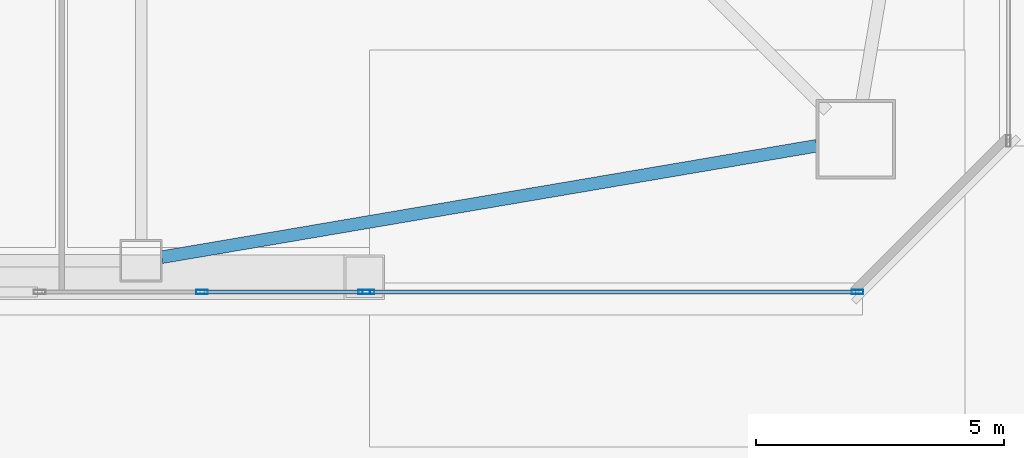
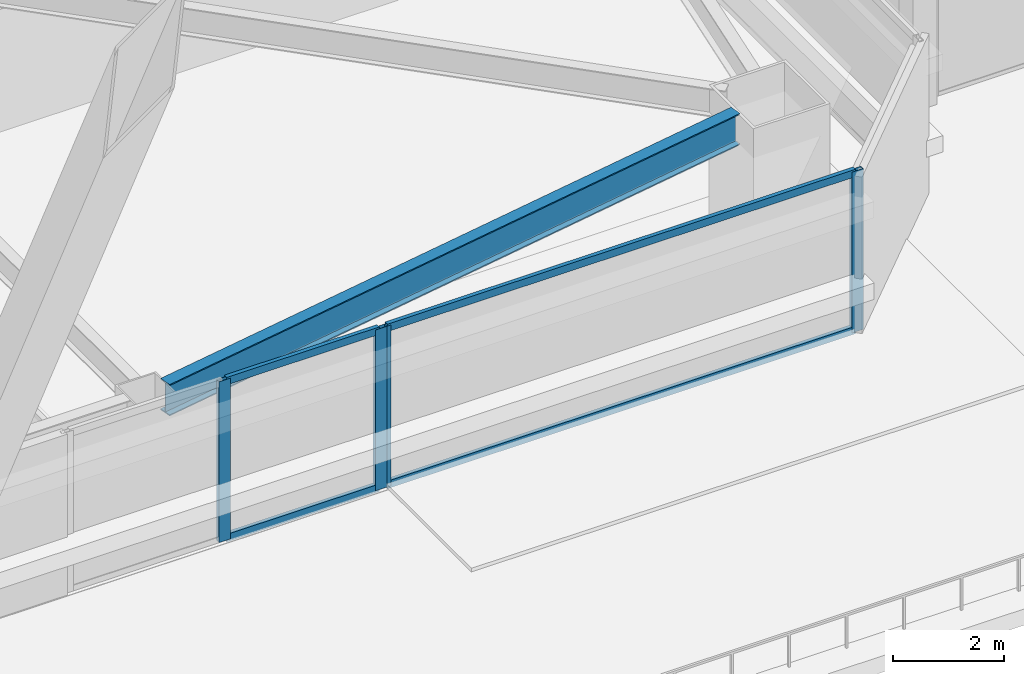
# One storey, part 13 of 83: 8 members, 1 beam, 2 elements without a shape of their own.
"""IFC4 building model written with IfcOpenShell, lengths in metres."""

from ifc_helpers import new_model, si_unit, direction, frame, origin, origin_2d, place, context, subcontext, project, spatial, hollow_rectangle, i_section, extrude, material, material_profile, profile_set, type_object, element, aggregate, save


model = new_model("IFC4")

# Units and contexts
model_context = context("Model", 3, precision=1e-05, world=origin(), true_north=direction((0.0, 1.0)))
body_context = subcontext(model_context, "Body", "Model", "MODEL_VIEW")
ifc_project = project(units=[si_unit("LENGTHUNIT", "METRE"), si_unit("AREAUNIT", "SQUARE_METRE"), si_unit("VOLUMEUNIT", "CUBIC_METRE"), si_unit("PLANEANGLEUNIT", "RADIAN"), si_unit("MASSUNIT", "GRAM", prefix="KILO")], contexts=[model_context])

# Site, building, storey
site_placement = place(None, origin())
site = spatial("IfcSite", under=ifc_project, at=site_placement, CompositionType="ELEMENT")
building_placement = place(site_placement, origin())
building = spatial("IfcBuilding", under=site, at=building_placement, Name="Tashvorn Skyway Center", CompositionType="ELEMENT")
storey_placement = place(building_placement, frame((0.0, 0.0, 24.60009765625)))
storey = spatial("IfcBuildingStorey", under=building, at=storey_placement, Name="L05", CompositionType="ELEMENT", Elevation=24.60009765625)

# Beam
ifc_material_1 = material(Name="Steel ASTM A992 Grade 50", Category="steel")
ifc_material_profile_1 = material_profile(ifc_material_1, i_section(OverallWidth=0.256103515625, OverallDepth=0.693115234375, WebThickness=0.014404296875, FlangeThickness=0.023681640625, at=origin_2d()), Name="W27X114")
ifc_profile_set_1 = profile_set([ifc_material_profile_1], Name="Steel ASTM A992 Grade 50")
beam_type = type_object("IfcBeamType", Name="BM-SPANDREL-W27X114", PredefinedType="SPANDREL", material=ifc_profile_set_1)
beam_placement = place(storey_placement, frame((47.81396484375, 9.820556640625, 3.00341796875), z_axis=(0.985835025551, 0.16771792509, 0.0), x_axis=(-0.16771792509, 0.985835025551, 0.0)))
element("IfcBeam", 1, at=beam_placement, inside=storey, type_object=beam_type, Name="Tower 1 L05 Spandrel Beam 03", PredefinedType="SPANDREL", context=body_context, shape_type="SweptSolid", body=[
    extrude(i_section(OverallWidth=0.256103515625, OverallDepth=0.693115234375, WebThickness=0.014404296875, FlangeThickness=0.023681640625, at=origin_2d()), origin(), (0.0, 0.0, 1.0), 13.39208984375),
])

# Curtain wall, members
ifc_material_2 = material(Name="Thermally broken bronze-anodized aluminium 6063-T6", Category="aluminium")
curtain_wall_type = type_object("IfcCurtainWallType", Name="CW-CW-Z1", PredefinedType="NOTDEFINED", material=ifc_material_2)
curtain_wall_1_placement = place(storey_placement, origin())
curtain_wall_1 = element("IfcCurtainWall", 2, at=curtain_wall_1_placement, inside=storey, type_object=curtain_wall_type, Name="Tower 1 L05 South Unitised Curtain Wall Glazing Group 1", PredefinedType="NOTDEFINED")
ifc_material_profile_2 = material_profile(ifc_material_2, hollow_rectangle(XDim=0.0849609375, YDim=0.239990234375, WallThickness=0.0048828125, at=origin_2d()), Name="ALU-MULL-85x240")
ifc_profile_set_2 = profile_set([ifc_material_profile_2], Name="Thermally broken bronze-anodized aluminium 6063-T6")
member_type_1 = type_object("IfcMemberType", Name="CWM-CW-Z1", PredefinedType="MULLION", material=ifc_profile_set_2)
member_1_placement = place(storey_placement, frame((61.83740234375, 9.1201171875, 0.0), z_axis=(0.0, 0.0, 1.0), x_axis=(0.0, -1.0, 0.0)))
member_1 = element("IfcMember", 3, at=member_1_placement, type_object=member_type_1, Name="CW-Z1 mullion 1", PredefinedType="MULLION", context=body_context, shape_type="SweptSolid", body=[
    extrude(hollow_rectangle(XDim=0.0849609375, YDim=0.239990234375, WallThickness=0.0048828125, at=origin_2d()), origin(), (0.0, 0.0, 1.0), 3.5498046875),
])
member_2_placement = place(storey_placement, frame((51.982421875, 9.1201171875, 0.0), z_axis=(0.0, 0.0, 1.0), x_axis=(0.0, -1.0, 0.0)))
member_2 = element("IfcMember", 4, at=member_2_placement, type_object=member_type_1, Name="CW-Z1 mullion 2", PredefinedType="MULLION", context=body_context, shape_type="SweptSolid", body=[
    extrude(hollow_rectangle(XDim=0.0849609375, YDim=0.239990234375, WallThickness=0.0048828125, at=origin_2d()), origin(), (0.0, 0.0, 1.0), 3.5498046875),
])

curtain_wall_2_placement = place(storey_placement, origin())
curtain_wall_2 = element("IfcCurtainWall", 5, at=curtain_wall_2_placement, inside=storey, type_object=curtain_wall_type, Name="Tower 1 L05 South Unitised Curtain Wall Glazing Group 2", PredefinedType="NOTDEFINED")
member_3_placement = place(storey_placement, frame((51.8974609375, 9.1201171875, 0.0), z_axis=(0.0, 0.0, 1.0), x_axis=(0.0, -1.0, 0.0)))
member_3 = element("IfcMember", 6, at=member_3_placement, type_object=member_type_1, Name="CW-Z1 mullion 1", PredefinedType="MULLION", context=body_context, shape_type="SweptSolid", body=[
    extrude(hollow_rectangle(XDim=0.0849609375, YDim=0.239990234375, WallThickness=0.0048828125, at=origin_2d()), origin(), (0.0, 0.0, 1.0), 3.5498046875),
])
member_4_placement = place(storey_placement, frame((48.626708984375, 9.1201171875, 0.0), z_axis=(0.0, 0.0, 1.0), x_axis=(0.0, -1.0, 0.0)))
member_4 = element("IfcMember", 7, at=member_4_placement, type_object=member_type_1, Name="CW-Z1 mullion 2", PredefinedType="MULLION", context=body_context, shape_type="SweptSolid", body=[
    extrude(hollow_rectangle(XDim=0.0849609375, YDim=0.239990234375, WallThickness=0.0048828125, at=origin_2d()), origin(), (0.0, 0.0, 1.0), 3.5498046875),
])

# Member
ifc_material_profile_3 = material_profile(ifc_material_2, hollow_rectangle(XDim=0.0849609375, YDim=0.1650390625, WallThickness=0.0048828125, at=origin_2d()), Name="ALU-TRAN-85x165")
ifc_profile_set_3 = profile_set([ifc_material_profile_3], Name="Thermally broken bronze-anodized aluminium 6063-T6")
member_type_2 = type_object("IfcMemberType", Name="CWT-CW-Z1", PredefinedType="USERDEFINED", material=ifc_profile_set_3)
member_5_placement = place(storey_placement, frame((61.794921875, 9.1201171875, 0.04248046875), z_axis=(-1.0, 0.0, 0.0), x_axis=(0.0, -1.0, 0.0)))
member_5 = element("IfcMember", 8, at=member_5_placement, type_object=member_type_2, Name="CW-Z1 transom 1.1", ObjectType="TRANSOM", PredefinedType="USERDEFINED", context=body_context, shape_type="SweptSolid", body=[
    extrude(hollow_rectangle(XDim=0.0849609375, YDim=0.1650390625, WallThickness=0.0048828125, at=origin_2d()), origin(), (0.0, 0.0, 1.0), 9.77001953125),
])

member_6_placement = place(storey_placement, frame((61.794921875, 9.1201171875, 3.50732421875), z_axis=(-1.0, 0.0, 0.0), x_axis=(0.0, -1.0, 0.0)))
member_6 = element("IfcMember", 9, at=member_6_placement, type_object=member_type_2, Name="CW-Z1 transom 1.2", ObjectType="TRANSOM", PredefinedType="USERDEFINED", context=body_context, shape_type="SweptSolid", body=[
    extrude(hollow_rectangle(XDim=0.0849609375, YDim=0.1650390625, WallThickness=0.0048828125, at=origin_2d()), origin(), (0.0, 0.0, 1.0), 9.77001953125),
])

aggregate(curtain_wall_1, [member_1, member_2, member_5, member_6])

member_7_placement = place(storey_placement, frame((51.85498046875, 9.1201171875, 0.04248046875), z_axis=(-1.0, 0.0, 0.0), x_axis=(0.0, -1.0, 0.0)))
member_7 = element("IfcMember", 10, at=member_7_placement, type_object=member_type_2, Name="CW-Z1 transom 1.1", ObjectType="TRANSOM", PredefinedType="USERDEFINED", context=body_context, shape_type="SweptSolid", body=[
    extrude(hollow_rectangle(XDim=0.0849609375, YDim=0.1650390625, WallThickness=0.0048828125, at=origin_2d()), origin(), (0.0, 0.0, 1.0), 3.185791015625),
])

member_8_placement = place(storey_placement, frame((51.85498046875, 9.1201171875, 3.50732421875), z_axis=(-1.0, 0.0, 0.0), x_axis=(0.0, -1.0, 0.0)))
member_8 = element("IfcMember", 11, at=member_8_placement, type_object=member_type_2, Name="CW-Z1 transom 1.2", ObjectType="TRANSOM", PredefinedType="USERDEFINED", context=body_context, shape_type="SweptSolid", body=[
    extrude(hollow_rectangle(XDim=0.0849609375, YDim=0.1650390625, WallThickness=0.0048828125, at=origin_2d()), origin(), (0.0, 0.0, 1.0), 3.185791015625),
])

aggregate(curtain_wall_2, [member_3, member_4, member_7, member_8])

save(model, "model.ifc")
